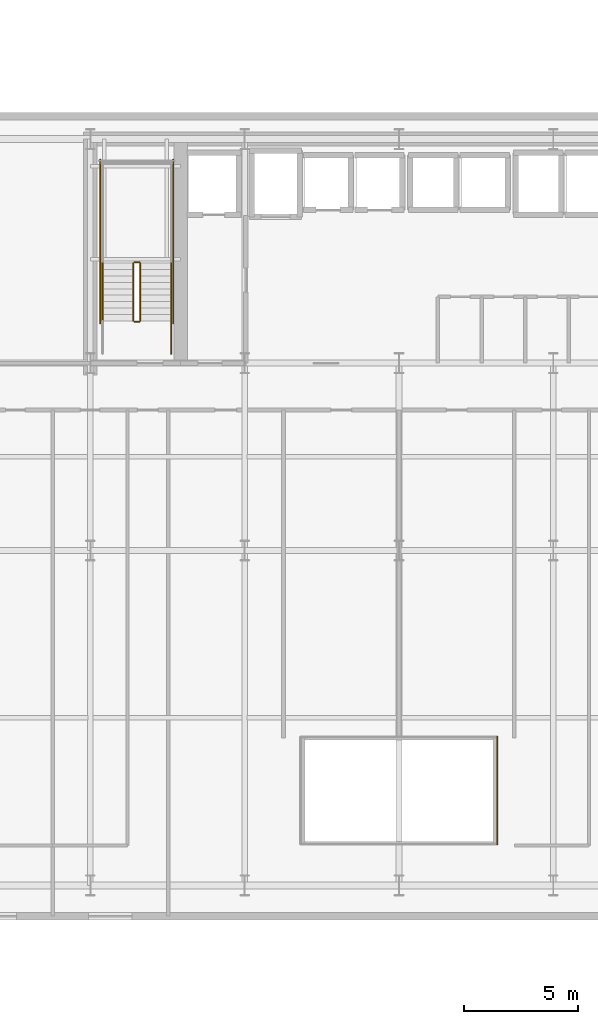
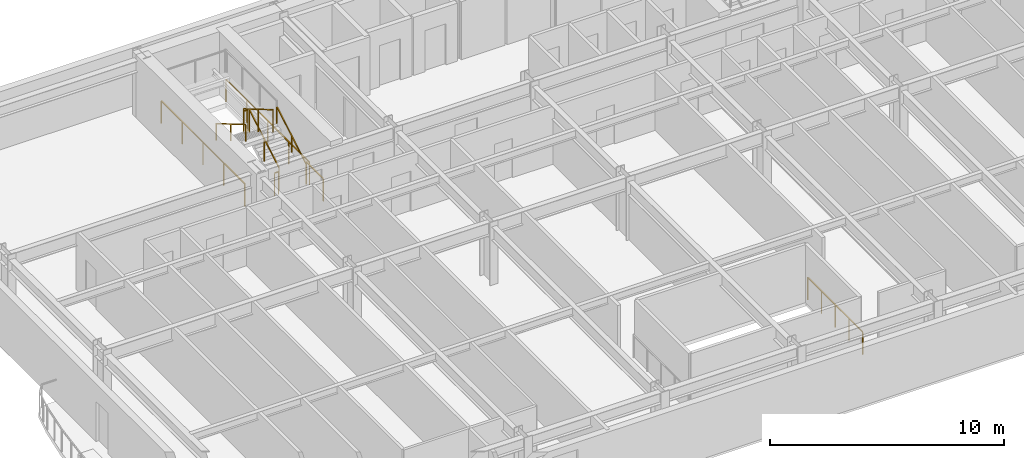
# One storey, part 12 of 17: 10 railings.
"""IFC4 building model written with IfcOpenShell, lengths in metres."""

from ifc_helpers import new_model, si_unit, direction, frame, origin, origin_2d, place, context, subcontext, project, spatial, rectangle, extrude, material, type_object, element, save


model = new_model("IFC4")

# Units and contexts
model_context = context("Model", 3, precision=1e-05, world=origin(), true_north=direction((0.0, 1.0)))
body_context = subcontext(model_context, "Body", "Model", "MODEL_VIEW")
ifc_project = project(units=[si_unit("LENGTHUNIT", "METRE"), si_unit("AREAUNIT", "SQUARE_METRE"), si_unit("VOLUMEUNIT", "CUBIC_METRE"), si_unit("PLANEANGLEUNIT", "RADIAN"), si_unit("MASSUNIT", "GRAM", prefix="KILO")], contexts=[model_context])

# Site, building, storey
site_placement = place(None, origin())
site = spatial("IfcSite", under=ifc_project, at=site_placement, CompositionType="ELEMENT")
building_placement = place(site_placement, origin())
building = spatial("IfcBuilding", under=site, at=building_placement, Name="Haevon Station Towers", CompositionType="ELEMENT")
storey_placement = place(building_placement, frame((0.0, 0.0, 37.199951171875)))
storey = spatial("IfcBuildingStorey", under=building, at=storey_placement, Name="L08", CompositionType="ELEMENT", Elevation=37.199951171875)

# Railings
ifc_material = material(Name="Steel S355", Category="steel")
railing_type_1 = type_object("IfcRailingType", Name="BAL-ATR1200", PredefinedType="BALUSTRADE", material=ifc_material)
railing_1_placement = place(storey_placement, frame((41.80517578125, 17.142333984375, 0.0)))
element("IfcRailing", 1, at=railing_1_placement, inside=storey, type_object=railing_type_1, Name="L08 Atrium Void Balustrade 2", PredefinedType="BALUSTRADE", context=body_context, shape_type="SweptSolid", body=[
    extrude(rectangle(XDim=0.048095703125, YDim=0.048095703125, at=origin_2d()), frame((0.0, 0.0, 1.17578125), z_axis=(0.0, 1.0, 0.0), x_axis=(-1.0, 0.0, 0.0)), (0.0, 0.0, 1.0), 4.71533203125),
    extrude(rectangle(XDim=0.0419921875, YDim=0.0419921875, at=origin_2d()), origin(), (0.0, 0.0, 1.0), 1.15185546875),
    extrude(rectangle(XDim=0.0419921875, YDim=0.0419921875, at=origin_2d()), frame((0.0, 1.1787109375, 0.0)), (0.0, 0.0, 1.0), 1.15185546875),
    extrude(rectangle(XDim=0.0419921875, YDim=0.0419921875, at=origin_2d()), frame((0.0, 2.357666015625, 0.0)), (0.0, 0.0, 1.0), 1.15185546875),
    extrude(rectangle(XDim=0.0419921875, YDim=0.0419921875, at=origin_2d()), frame((0.0, 3.53662109375, 0.0)), (0.0, 0.0, 1.0), 1.15185546875),
    extrude(rectangle(XDim=0.0419921875, YDim=0.0419921875, at=origin_2d()), frame((0.0, 4.71533203125, 0.0)), (0.0, 0.0, 1.0), 1.15185546875),
])
railing_type_2 = type_object("IfcRailingType", Name="GRD-STR1200", PredefinedType="GUARDRAIL", material=ifc_material)
railing_2_placement = place(storey_placement, frame((26.179931640625, 40.050048828125, 0.1650390625)))
element("IfcRailing", 2, at=railing_2_placement, inside=storey, type_object=railing_type_2, Name="L08 ST1 Stair Guard 1", PredefinedType="GUARDRAIL", context=body_context, shape_type="SweptSolid", body=[
    extrude(rectangle(XDim=0.048095703125, YDim=0.048095703125, at=origin_2d()), frame((0.0, 0.0, 1.17578125), z_axis=(0.0, 0.86152411907, 0.507716645641), x_axis=(-1.0, 0.0, 0.0)), (0.0, 0.0, 1.0), 2.925048828125),
    extrude(rectangle(XDim=0.0419921875, YDim=0.0419921875, at=origin_2d()), origin(), (0.0, 0.0, 1.0), 1.15185546875),
    extrude(rectangle(XDim=0.0419921875, YDim=0.0419921875, at=origin_2d()), frame((0.0, 1.260009765625, 0.74267578125)), (0.0, 0.0, 1.0), 1.15185546875),
    extrude(rectangle(XDim=0.0419921875, YDim=0.0419921875, at=origin_2d()), frame((0.0, 2.52001953125, 1.485107421875)), (0.0, 0.0, 1.0), 1.15185546875),
])
railing_3_placement = place(storey_placement, frame((26.1298828125, 42.6201171875, 1.650146484375)))
element("IfcRailing", 3, at=railing_3_placement, inside=storey, type_object=railing_type_2, Name="L08 ST1 Stair Guard 2", PredefinedType="GUARDRAIL", context=body_context, shape_type="SweptSolid", body=[
    extrude(rectangle(XDim=0.048095703125, YDim=0.048095703125, at=origin_2d()), frame((0.0, 0.0, 1.17578125), z_axis=(-1.0, 0.0, 0.0), x_axis=(0.0, -1.0, 0.0)), (0.0, 0.0, 1.0), 0.199951171875),
    extrude(rectangle(XDim=0.0419921875, YDim=0.0419921875, at=origin_2d()), origin(), (0.0, 0.0, 1.0), 1.15185546875),
    extrude(rectangle(XDim=0.0419921875, YDim=0.0419921875, at=origin_2d()), frame((-0.199951171875, 0.0, 0.0)), (0.0, 0.0, 1.0), 1.15185546875),
])
railing_4_placement = place(storey_placement, frame((25.8798828125, 42.570068359375, 1.81494140625)))
element("IfcRailing", 4, at=railing_4_placement, inside=storey, type_object=railing_type_2, Name="L08 ST1 Stair Guard 6", PredefinedType="GUARDRAIL", context=body_context, shape_type="SweptSolid", body=[
    extrude(rectangle(XDim=0.048095703125, YDim=0.048095703125, at=origin_2d()), frame((0.0, 0.0, 1.17578125), z_axis=(0.0, -0.86152411907, 0.507716645641), x_axis=(1.0, 0.0, 0.0)), (0.0, 0.0, 1.0), 2.925048828125),
    extrude(rectangle(XDim=0.0419921875, YDim=0.0419921875, at=origin_2d()), origin(), (0.0, 0.0, 1.0), 1.15185546875),
    extrude(rectangle(XDim=0.0419921875, YDim=0.0419921875, at=origin_2d()), frame((0.0, -1.260009765625, 0.74267578125)), (0.0, 0.0, 1.0), 1.15185546875),
    extrude(rectangle(XDim=0.0419921875, YDim=0.0419921875, at=origin_2d()), frame((0.0, -2.52001953125, 1.485107421875)), (0.0, 0.0, 1.0), 1.15185546875),
])
railing_5_placement = place(storey_placement, frame((26.1298828125, 40.0, 0.0)))
element("IfcRailing", 5, at=railing_5_placement, inside=storey, type_object=railing_type_2, Name="L08 ST1 Stair Guard 7", PredefinedType="GUARDRAIL", context=body_context, shape_type="SweptSolid", body=[
    extrude(rectangle(XDim=0.048095703125, YDim=0.048095703125, at=origin_2d()), frame((0.0, 0.0, 1.17578125), z_axis=(-1.0, 0.0, 0.0), x_axis=(0.0, -1.0, 0.0)), (0.0, 0.0, 1.0), 0.199951171875),
    extrude(rectangle(XDim=0.0419921875, YDim=0.0419921875, at=origin_2d()), origin(), (0.0, 0.0, 1.0), 1.15185546875),
    extrude(rectangle(XDim=0.0419921875, YDim=0.0419921875, at=origin_2d()), frame((-0.199951171875, 0.0, 0.0)), (0.0, 0.0, 1.0), 1.15185546875),
])
railing_6_placement = place(storey_placement, frame((27.530029296875, 38.60009765625, 0.0)))
element("IfcRailing", 6, at=railing_6_placement, inside=storey, type_object=railing_type_2, Name="L08 ST1 Stair Guard 8", PredefinedType="GUARDRAIL", context=body_context, shape_type="SweptSolid", body=[
    extrude(rectangle(XDim=0.048095703125, YDim=0.048095703125, at=origin_2d()), frame((0.0, 0.0, 1.17578125), z_axis=(0.0, 1.0, 0.0), x_axis=(-1.0, 0.0, 0.0)), (0.0, 0.0, 1.0), 1.449951171875),
    extrude(rectangle(XDim=0.0419921875, YDim=0.0419921875, at=origin_2d()), origin(), (0.0, 0.0, 1.0), 1.15185546875),
    extrude(rectangle(XDim=0.0419921875, YDim=0.0419921875, at=origin_2d()), frame((0.0, 1.449951171875, 0.0)), (0.0, 0.0, 1.0), 1.15185546875),
])
for number, where, name in (
    (7, (27.6298828125, 39.949951171875, 0.0), "L08 ST1 Stair Guard 10"),
    (8, (24.429931640625, 39.949951171875, 0.0), "L08 ST1 Stair Guard 11"),
):
    element("IfcRailing", number, at=place(storey_placement, frame(where)), inside=storey, type_object=railing_type_2, Name=name, PredefinedType="GUARDRAIL", context=body_context, shape_type="SweptSolid", body=[
        extrude(rectangle(XDim=0.048095703125, YDim=0.048095703125, at=origin_2d()), frame((0.0, 0.0, 1.17578125), z_axis=(0.0, 1.0, 0.0), x_axis=(-1.0, 0.0, 0.0)), (0.0, 0.0, 1.0), 7.150146484375),
        extrude(rectangle(XDim=0.0419921875, YDim=0.0419921875, at=origin_2d()), origin(), (0.0, 0.0, 1.0), 1.15185546875),
        extrude(rectangle(XDim=0.0419921875, YDim=0.0419921875, at=origin_2d()), frame((0.0, 1.78759765625, 0.0)), (0.0, 0.0, 1.0), 1.15185546875),
        extrude(rectangle(XDim=0.0419921875, YDim=0.0419921875, at=origin_2d()), frame((0.0, 3.5751953125, 0.0)), (0.0, 0.0, 1.0), 1.15185546875),
        extrude(rectangle(XDim=0.0419921875, YDim=0.0419921875, at=origin_2d()), frame((0.0, 5.362548828125, 0.0)), (0.0, 0.0, 1.0), 1.15185546875),
        extrude(rectangle(XDim=0.0419921875, YDim=0.0419921875, at=origin_2d()), frame((0.0, 7.150146484375, 0.0)), (0.0, 0.0, 1.0), 1.15185546875),
    ])
railing_type_3 = type_object("IfcRailingType", Name="HND-STR900", PredefinedType="HANDRAIL", material=ifc_material)
railing_7_placement = place(storey_placement, frame((27.530029296875, 40.050048828125, 0.1650390625)))
element("IfcRailing", 9, at=railing_7_placement, inside=storey, type_object=railing_type_3, Name="L08 ST1 Stair Handrail 1", PredefinedType="HANDRAIL", context=body_context, shape_type="SweptSolid", body=[
    extrude(rectangle(XDim=0.048095703125, YDim=0.048095703125, at=origin_2d()), frame((0.0, 0.0, 0.8759765625), z_axis=(0.0, 0.86152411907, 0.507716645641), x_axis=(-1.0, 0.0, 0.0)), (0.0, 0.0, 1.0), 2.925048828125),
    extrude(rectangle(XDim=0.0419921875, YDim=0.0419921875, at=origin_2d()), origin(), (0.0, 0.0, 1.0), 0.851806640625),
    extrude(rectangle(XDim=0.0419921875, YDim=0.0419921875, at=origin_2d()), frame((0.0, 1.260009765625, 0.74267578125)), (0.0, 0.0, 1.0), 0.851806640625),
    extrude(rectangle(XDim=0.0419921875, YDim=0.0419921875, at=origin_2d()), frame((0.0, 2.52001953125, 1.485107421875)), (0.0, 0.0, 1.0), 0.851806640625),
])
railing_8_placement = place(storey_placement, frame((24.530029296875, 42.570068359375, 1.81494140625)))
element("IfcRailing", 10, at=railing_8_placement, inside=storey, type_object=railing_type_3, Name="L08 ST1 Stair Handrail 2", PredefinedType="HANDRAIL", context=body_context, shape_type="SweptSolid", body=[
    extrude(rectangle(XDim=0.048095703125, YDim=0.048095703125, at=origin_2d()), frame((0.0, 0.0, 0.8759765625), z_axis=(0.0, -0.86152411907, 0.507716645641), x_axis=(1.0, 0.0, 0.0)), (0.0, 0.0, 1.0), 2.925048828125),
    extrude(rectangle(XDim=0.0419921875, YDim=0.0419921875, at=origin_2d()), origin(), (0.0, 0.0, 1.0), 0.851806640625),
    extrude(rectangle(XDim=0.0419921875, YDim=0.0419921875, at=origin_2d()), frame((0.0, -1.260009765625, 0.74267578125)), (0.0, 0.0, 1.0), 0.851806640625),
    extrude(rectangle(XDim=0.0419921875, YDim=0.0419921875, at=origin_2d()), frame((0.0, -2.52001953125, 1.485107421875)), (0.0, 0.0, 1.0), 0.851806640625),
])

save(model, "model.ifc")
